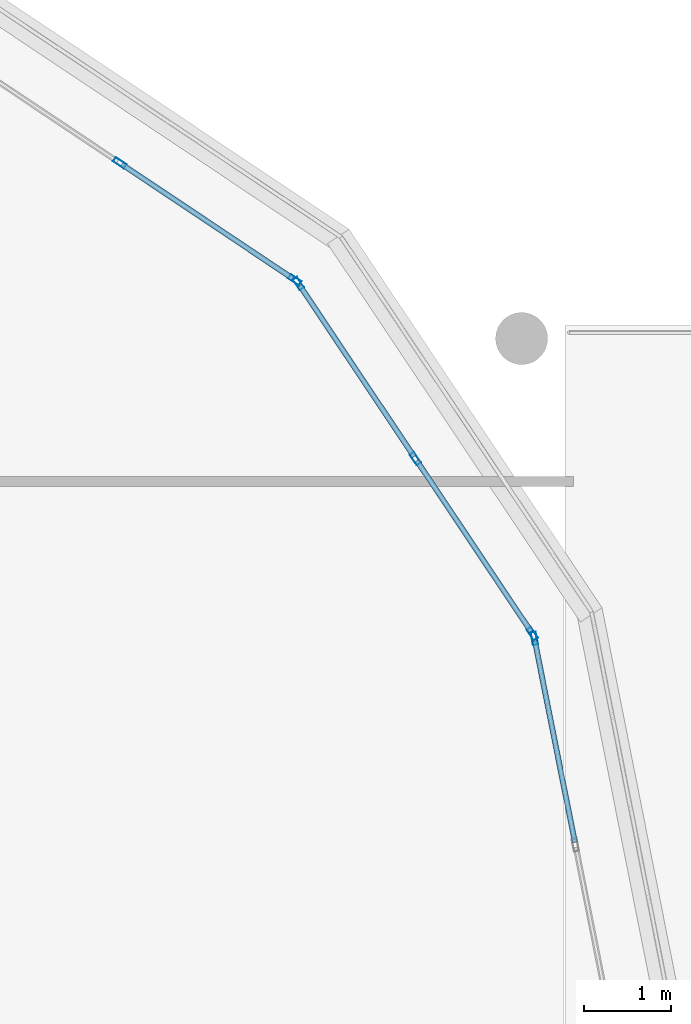
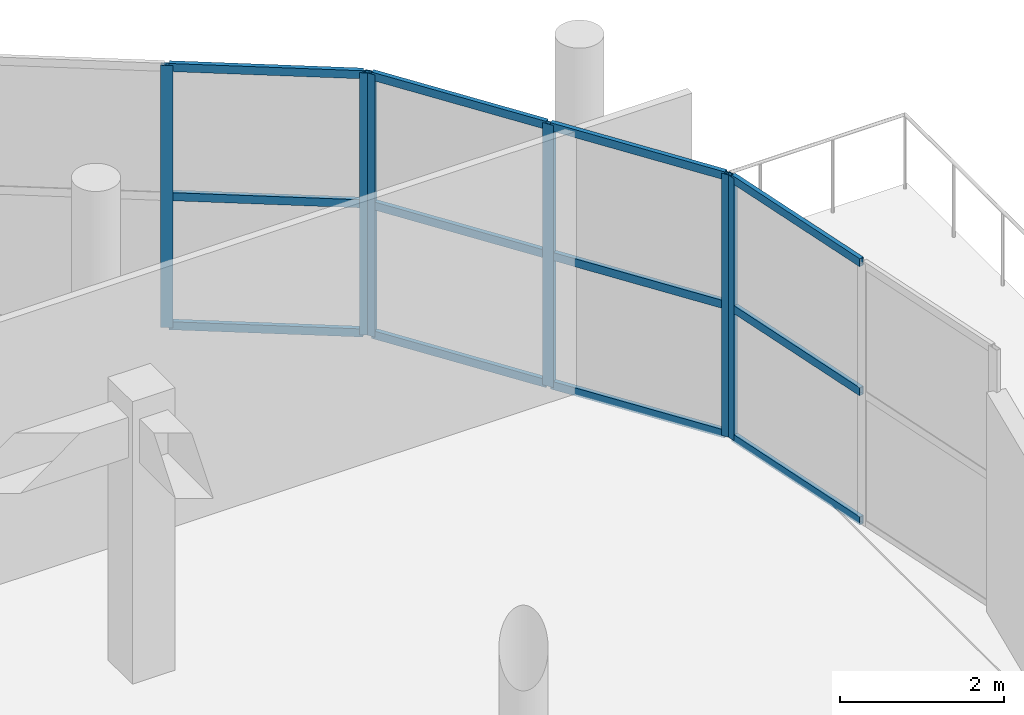
# One storey, part 33 of 56: 18 members, 3 elements without a shape of their own.
"""IFC4 building model written with IfcOpenShell, lengths in metres."""

from ifc_helpers import new_model, si_unit, direction, frame, origin, origin_2d, place, context, subcontext, project, spatial, hollow_rectangle, extrude, material, layer, layer_set, material_profile, profile_set, type_object, element, aggregate, save


model = new_model("IFC4")

# Units and contexts
model_context = context("Model", 3, precision=1e-05, world=origin(), true_north=direction((0.0, 1.0)))
body_context = subcontext(model_context, "Body", "Model", "MODEL_VIEW")
ifc_project = project(units=[si_unit("LENGTHUNIT", "METRE"), si_unit("AREAUNIT", "SQUARE_METRE"), si_unit("VOLUMEUNIT", "CUBIC_METRE"), si_unit("PLANEANGLEUNIT", "RADIAN"), si_unit("MASSUNIT", "GRAM", prefix="KILO")], contexts=[model_context])

# Site, building, storey
site_placement = place(None, origin())
site = spatial("IfcSite", under=ifc_project, at=site_placement, CompositionType="ELEMENT")
building_placement = place(site_placement, origin())
building = spatial("IfcBuilding", under=site, at=building_placement, Name="Zizhar Promenade General Hospital", CompositionType="ELEMENT")
storey_placement = place(building_placement, frame((0.0, 0.0, 26.39990234375)))
storey = spatial("IfcBuildingStorey", under=building, at=storey_placement, Name="L06", CompositionType="ELEMENT", Elevation=26.39990234375)

# Curtain wall, member
ifc_material_1 = material(Name="Anodised aluminium 6063-T6 and low-E glass", Category="aluminium")
ifc_layer = layer(ifc_material_1, 0.159912109375)
ifc_layer_set = layer_set([ifc_layer], Name="Anodised aluminium 6063-T6 and low-E glass")
curtain_wall_type = type_object("IfcCurtainWallType", Name="CW-WARD-ARC", PredefinedType="NOTDEFINED", material=ifc_layer_set)
curtain_wall_1_placement = place(storey_placement, origin())
curtain_wall_1 = element("IfcCurtainWall", 1, at=curtain_wall_1_placement, inside=storey, type_object=curtain_wall_type, Name="Ward Semicircular End Glazing L06-05", PredefinedType="NOTDEFINED")
ifc_material_2 = material(Name="Anodised aluminium 6063-T6", Category="aluminium")
ifc_material_profile_1 = material_profile(ifc_material_2, hollow_rectangle(XDim=0.06005859375, YDim=0.14990234375, WallThickness=0.00390625, at=origin_2d()))
ifc_profile_set_1 = profile_set([ifc_material_profile_1], Name="Anodised aluminium 6063-T6")
member_type_1 = type_object("IfcMemberType", Name="CWM-ALU-150x60", PredefinedType="MULLION", material=ifc_profile_set_1)
member_1_placement = place(storey_placement, frame((125.646728515625, 17.392333984375, 0.0), z_axis=(0.0, 0.0, 1.0), x_axis=(0.980785889615, 0.195087259275, 0.0)))
member_1 = element("IfcMember", 2, at=member_1_placement, type_object=member_type_1, Name="CW-12 mullion 1", PredefinedType="MULLION", context=body_context, shape_type="SweptSolid", body=[
    extrude(hollow_rectangle(XDim=0.06005859375, YDim=0.14990234375, WallThickness=0.00390625, at=origin_2d()), origin(), (0.0, 0.0, 1.0), 3.900146484375),
])

# Curtain wall, members
curtain_wall_2_placement = place(storey_placement, origin())
curtain_wall_2 = element("IfcCurtainWall", 3, at=curtain_wall_2_placement, inside=storey, type_object=curtain_wall_type, Name="Ward Semicircular End Glazing L06-06", PredefinedType="NOTDEFINED")
member_2_placement = place(storey_placement, frame((122.92626953125, 21.484619140625, 0.0), z_axis=(0.0, 0.0, 1.0), x_axis=(0.831461514468, 0.555582352095, 0.0)))
member_2 = element("IfcMember", 4, at=member_2_placement, type_object=member_type_1, Name="CW-12 mullion 1", PredefinedType="MULLION", context=body_context, shape_type="SweptSolid", body=[
    extrude(hollow_rectangle(XDim=0.06005859375, YDim=0.14990234375, WallThickness=0.00390625, at=origin_2d()), origin(), (0.0, 0.0, 1.0), 3.900146484375),
])
member_3_placement = place(storey_placement, frame((124.275146484375, 19.465576171875, 0.0), z_axis=(0.0, 0.0, 1.0), x_axis=(0.831461514468, 0.555582352095, 0.0)))
member_3 = element("IfcMember", 5, at=member_3_placement, type_object=member_type_1, Name="CW-12 mullion 2", PredefinedType="MULLION", context=body_context, shape_type="SweptSolid", body=[
    extrude(hollow_rectangle(XDim=0.06005859375, YDim=0.14990234375, WallThickness=0.00390625, at=origin_2d()), origin(), (0.0, 0.0, 1.0), 3.900146484375),
])
member_4_placement = place(storey_placement, frame((125.624267578125, 17.44677734375, 0.0), z_axis=(0.0, 0.0, 1.0), x_axis=(0.831461514468, 0.555582352095, 0.0)))
member_4 = element("IfcMember", 6, at=member_4_placement, type_object=member_type_1, Name="CW-12 mullion 3", PredefinedType="MULLION", context=body_context, shape_type="SweptSolid", body=[
    extrude(hollow_rectangle(XDim=0.06005859375, YDim=0.14990234375, WallThickness=0.00390625, at=origin_2d()), origin(), (0.0, 0.0, 1.0), 3.900146484375),
])

curtain_wall_3_placement = place(storey_placement, origin())
curtain_wall_3 = element("IfcCurtainWall", 7, at=curtain_wall_3_placement, inside=storey, type_object=curtain_wall_type, Name="Ward Semicircular End Glazing L06-07", PredefinedType="NOTDEFINED")
member_5_placement = place(storey_placement, frame((120.86572265625, 22.875244140625, 0.0), z_axis=(0.0, 0.0, 1.0), x_axis=(0.555582352095, 0.831461514468, 0.0)))
member_5 = element("IfcMember", 8, at=member_5_placement, type_object=member_type_1, Name="CW-12 mullion 2", PredefinedType="MULLION", context=body_context, shape_type="SweptSolid", body=[
    extrude(hollow_rectangle(XDim=0.06005859375, YDim=0.14990234375, WallThickness=0.00390625, at=origin_2d()), origin(), (0.0, 0.0, 1.0), 3.900146484375),
])
member_6_placement = place(storey_placement, frame((122.884521484375, 21.526123046875, 0.0), z_axis=(0.0, 0.0, 1.0), x_axis=(0.555582352095, 0.831461514468, 0.0)))
member_6 = element("IfcMember", 9, at=member_6_placement, type_object=member_type_1, Name="CW-12 mullion 3", PredefinedType="MULLION", context=body_context, shape_type="SweptSolid", body=[
    extrude(hollow_rectangle(XDim=0.06005859375, YDim=0.14990234375, WallThickness=0.00390625, at=origin_2d()), origin(), (0.0, 0.0, 1.0), 3.900146484375),
])

# Member
ifc_material_3 = material(Name="Anodised aluminium 6063-T6", Category="aluminium")
ifc_material_profile_2 = material_profile(ifc_material_3, hollow_rectangle(XDim=0.06005859375, YDim=0.1201171875, WallThickness=0.00390625, at=origin_2d()))
ifc_profile_set_2 = profile_set([ifc_material_profile_2], Name="Anodised aluminium 6063-T6")
member_type_2 = type_object("IfcMemberType", Name="CWT-ALU-120x60", PredefinedType="USERDEFINED", material=ifc_profile_set_2)
member_7_placement = place(storey_placement, frame((125.652587890625, 17.363037109375, 0.030029296875), z_axis=(0.195045472693, -0.980794200422, 0.0), x_axis=(0.980794200422, 0.195045472693, 0.0)))
member_7 = element("IfcMember", 10, at=member_7_placement, type_object=member_type_2, Name="CW-12 transom 1.1", ObjectType="TRANSOM", PredefinedType="USERDEFINED", context=body_context, shape_type="SweptSolid", body=[
    extrude(hollow_rectangle(XDim=0.06005859375, YDim=0.1201171875, WallThickness=0.00390625, at=origin_2d()), origin(), (0.0, 0.0, 1.0), 2.3681640625),
])

member_8_placement = place(storey_placement, frame((125.652587890625, 17.363037109375, 1.9501953125), z_axis=(0.195045472693, -0.980794200422, 0.0), x_axis=(0.980794200422, 0.195045472693, 0.0)))
member_8 = element("IfcMember", 11, at=member_8_placement, type_object=member_type_2, Name="CW-12 transom 1.2", ObjectType="TRANSOM", PredefinedType="USERDEFINED", context=body_context, shape_type="SweptSolid", body=[
    extrude(hollow_rectangle(XDim=0.06005859375, YDim=0.1201171875, WallThickness=0.00390625, at=origin_2d()), origin(), (0.0, 0.0, 1.0), 2.3681640625),
])

member_9_placement = place(storey_placement, frame((125.652587890625, 17.363037109375, 3.8701171875), z_axis=(0.195045472693, -0.980794200422, 0.0), x_axis=(0.980794200422, 0.195045472693, 0.0)))
member_9 = element("IfcMember", 12, at=member_9_placement, type_object=member_type_2, Name="CW-12 transom 1.3", ObjectType="TRANSOM", PredefinedType="USERDEFINED", context=body_context, shape_type="SweptSolid", body=[
    extrude(hollow_rectangle(XDim=0.06005859375, YDim=0.1201171875, WallThickness=0.00390625, at=origin_2d()), origin(), (0.0, 0.0, 1.0), 2.3681640625),
])

aggregate(curtain_wall_1, [member_1, member_7, member_8, member_9])

member_10_placement = place(storey_placement, frame((122.94287109375, 21.459716796875, 0.030029296875), z_axis=(0.555532539312, -0.831494797197, 0.0), x_axis=(0.831494797197, 0.555532539312, 0.0)))
member_10 = element("IfcMember", 13, at=member_10_placement, type_object=member_type_2, Name="CW-12 transom 1.1", ObjectType="TRANSOM", PredefinedType="USERDEFINED", context=body_context, shape_type="SweptSolid", body=[
    extrude(hollow_rectangle(XDim=0.06005859375, YDim=0.1201171875, WallThickness=0.00390625, at=origin_2d()), origin(), (0.0, 0.0, 1.0), 2.368408203125),
])

member_11_placement = place(storey_placement, frame((122.94287109375, 21.459716796875, 1.9501953125), z_axis=(0.555532539312, -0.831494797197, 0.0), x_axis=(0.831494797197, 0.555532539312, 0.0)))
member_11 = element("IfcMember", 14, at=member_11_placement, type_object=member_type_2, Name="CW-12 transom 1.2", ObjectType="TRANSOM", PredefinedType="USERDEFINED", context=body_context, shape_type="SweptSolid", body=[
    extrude(hollow_rectangle(XDim=0.06005859375, YDim=0.1201171875, WallThickness=0.00390625, at=origin_2d()), origin(), (0.0, 0.0, 1.0), 2.368408203125),
])

member_12_placement = place(storey_placement, frame((122.94287109375, 21.459716796875, 3.8701171875), z_axis=(0.555532539312, -0.831494797197, 0.0), x_axis=(0.831494797197, 0.555532539312, 0.0)))
member_12 = element("IfcMember", 15, at=member_12_placement, type_object=member_type_2, Name="CW-12 transom 1.3", ObjectType="TRANSOM", PredefinedType="USERDEFINED", context=body_context, shape_type="SweptSolid", body=[
    extrude(hollow_rectangle(XDim=0.06005859375, YDim=0.1201171875, WallThickness=0.00390625, at=origin_2d()), origin(), (0.0, 0.0, 1.0), 2.368408203125),
])

member_13_placement = place(storey_placement, frame((124.291748046875, 19.440673828125, 0.030029296875), z_axis=(0.555651427164, -0.831415354375, 0.0), x_axis=(0.831415354375, 0.555651427164, 0.0)))
member_13 = element("IfcMember", 16, at=member_13_placement, type_object=member_type_2, Name="CW-12 transom 2.1", ObjectType="TRANSOM", PredefinedType="USERDEFINED", context=body_context, shape_type="SweptSolid", body=[
    extrude(hollow_rectangle(XDim=0.06005859375, YDim=0.1201171875, WallThickness=0.00390625, at=origin_2d()), origin(), (0.0, 0.0, 1.0), 2.3681640625),
])

member_14_placement = place(storey_placement, frame((124.291748046875, 19.440673828125, 1.9501953125), z_axis=(0.555651427164, -0.831415354375, 0.0), x_axis=(0.831415354375, 0.555651427164, 0.0)))
member_14 = element("IfcMember", 17, at=member_14_placement, type_object=member_type_2, Name="CW-12 transom 2.2", ObjectType="TRANSOM", PredefinedType="USERDEFINED", context=body_context, shape_type="SweptSolid", body=[
    extrude(hollow_rectangle(XDim=0.06005859375, YDim=0.1201171875, WallThickness=0.00390625, at=origin_2d()), origin(), (0.0, 0.0, 1.0), 2.3681640625),
])

member_15_placement = place(storey_placement, frame((124.291748046875, 19.440673828125, 3.8701171875), z_axis=(0.555651427164, -0.831415354375, 0.0), x_axis=(0.831415354375, 0.555651427164, 0.0)))
member_15 = element("IfcMember", 18, at=member_15_placement, type_object=member_type_2, Name="CW-12 transom 2.3", ObjectType="TRANSOM", PredefinedType="USERDEFINED", context=body_context, shape_type="SweptSolid", body=[
    extrude(hollow_rectangle(XDim=0.06005859375, YDim=0.1201171875, WallThickness=0.00390625, at=origin_2d()), origin(), (0.0, 0.0, 1.0), 2.3681640625),
])

aggregate(curtain_wall_2, [member_2, member_3, member_4, member_10, member_11, member_12, member_13, member_14, member_15])

member_16_placement = place(storey_placement, frame((120.890625, 22.858642578125, 0.030029296875), z_axis=(0.831415354375, -0.555651427164, 0.0), x_axis=(0.555651427164, 0.831415354375, 0.0)))
member_16 = element("IfcMember", 19, at=member_16_placement, type_object=member_type_2, Name="CW-12 transom 2.1", ObjectType="TRANSOM", PredefinedType="USERDEFINED", context=body_context, shape_type="SweptSolid", body=[
    extrude(hollow_rectangle(XDim=0.06005859375, YDim=0.1201171875, WallThickness=0.00390625, at=origin_2d()), origin(), (0.0, 0.0, 1.0), 2.3681640625),
])

member_17_placement = place(storey_placement, frame((120.890625, 22.858642578125, 1.9501953125), z_axis=(0.831415354375, -0.555651427164, 0.0), x_axis=(0.555651427164, 0.831415354375, 0.0)))
member_17 = element("IfcMember", 20, at=member_17_placement, type_object=member_type_2, Name="CW-12 transom 2.2", ObjectType="TRANSOM", PredefinedType="USERDEFINED", context=body_context, shape_type="SweptSolid", body=[
    extrude(hollow_rectangle(XDim=0.06005859375, YDim=0.1201171875, WallThickness=0.00390625, at=origin_2d()), origin(), (0.0, 0.0, 1.0), 2.3681640625),
])

member_18_placement = place(storey_placement, frame((120.890625, 22.858642578125, 3.8701171875), z_axis=(0.831415354375, -0.555651427164, 0.0), x_axis=(0.555651427164, 0.831415354375, 0.0)))
member_18 = element("IfcMember", 21, at=member_18_placement, type_object=member_type_2, Name="CW-12 transom 2.3", ObjectType="TRANSOM", PredefinedType="USERDEFINED", context=body_context, shape_type="SweptSolid", body=[
    extrude(hollow_rectangle(XDim=0.06005859375, YDim=0.1201171875, WallThickness=0.00390625, at=origin_2d()), origin(), (0.0, 0.0, 1.0), 2.3681640625),
])

aggregate(curtain_wall_3, [member_5, member_6, member_16, member_17, member_18])

save(model, "model.ifc")
